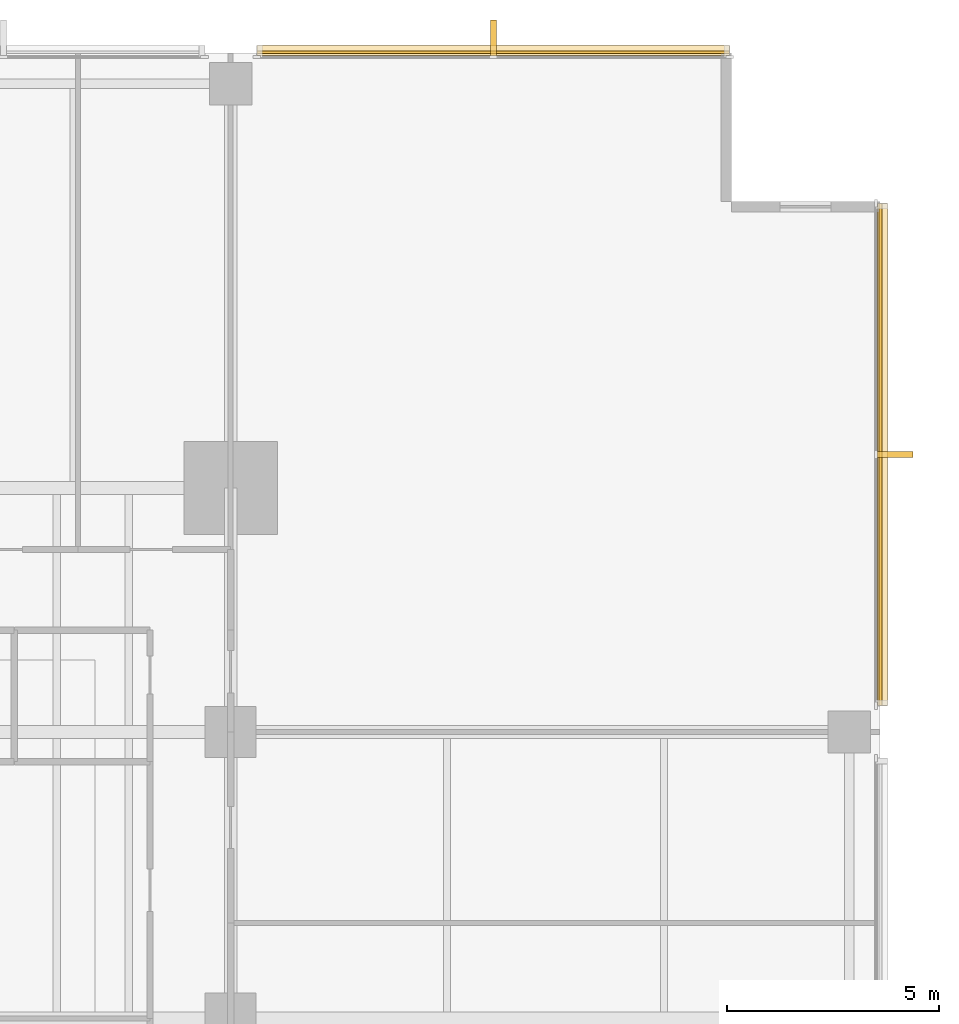
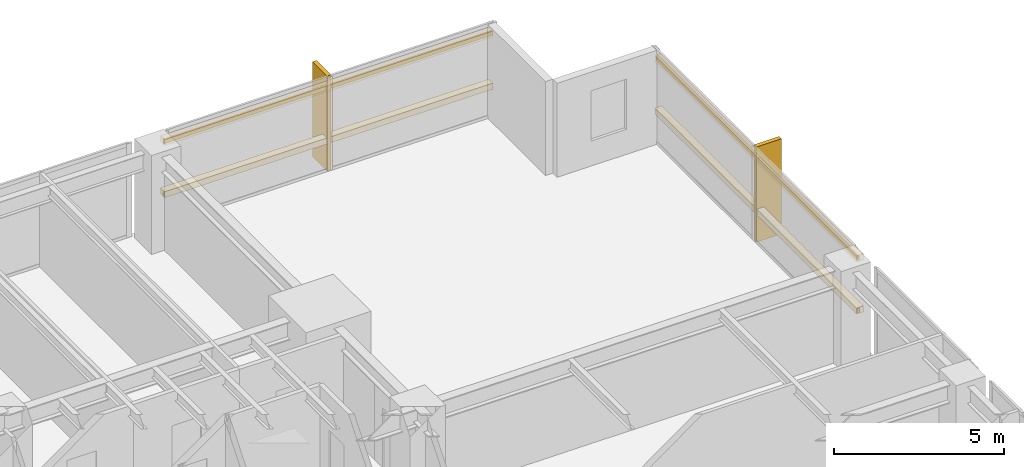
# One storey, part 15 of 15: 6 coverings, 4 shading devices.
"""IFC4 building model written with IfcOpenShell, lengths in metres."""

from ifc_helpers import new_model, si_unit, direction, frame, origin, origin_2d, place, context, subcontext, project, spatial, polyline, rectangle, outline, extrude, material, layer, layer_set, material_profile, profile_set, type_object, element, save


model = new_model("IFC4")

# Units and contexts
model_context = context("Model", 3, precision=1e-05, world=origin(), true_north=direction((0.0, 1.0)))
body_context = subcontext(model_context, "Body", "Model", "MODEL_VIEW")
ifc_project = project(units=[si_unit("LENGTHUNIT", "METRE"), si_unit("AREAUNIT", "SQUARE_METRE"), si_unit("VOLUMEUNIT", "CUBIC_METRE"), si_unit("PLANEANGLEUNIT", "RADIAN"), si_unit("MASSUNIT", "GRAM", prefix="KILO")], contexts=[model_context])

# Site, building, storey
site_placement = place(None, origin())
site = spatial("IfcSite", under=ifc_project, at=site_placement, CompositionType="ELEMENT")
building_placement = place(site_placement, origin())
building = spatial("IfcBuilding", under=site, at=building_placement, Name="Kinhvarn Gate Tower", CompositionType="ELEMENT")
storey_placement = place(building_placement, frame((0.0, 0.0, 78.85009765625)))
storey = spatial("IfcBuildingStorey", under=building, at=storey_placement, Name="L20", CompositionType="ELEMENT", Elevation=78.85009765625)

# Coverings
ifc_material = material(Name="Fired architectural terracotta", Category="masonry")
ifc_layer_1 = layer(ifc_material, 0.239990234375)
ifc_layer_set_1 = layer_set([ifc_layer_1], Name="Fired architectural terracotta")
covering_type_1 = type_object("IfcCoveringType", Name="COV-BAG-220", PredefinedType="CLADDING", material=ifc_layer_set_1)
for number, where, name in (
    (1, (0.0, 0.0, 0.93994140625), "Terracotta Horizontal Sunscreen Band TBG-220 (L20)"),
    (2, (0.0, 0.0, 2.809814453125), "Terracotta Horizontal Sunscreen Band TBG-220 (L20)"),
):
    element("IfcCovering", number, at=place(storey_placement, frame(where)), inside=storey, type_object=covering_type_1, Name=name, PredefinedType="CLADDING", context=body_context, shape_type="SweptSolid", body=[
        extrude(outline(polyline([(49.9599609375, 47.93994140625), (38.820068359375, 47.93994140625), (38.820068359375, 48.179931640625), (49.9599609375, 48.179931640625), (49.9599609375, 47.93994140625)])), origin(), (0.0, 0.0, 1.0), 0.219970703125),
    ])
for number, where, name in (
    (3, (0.0, 0.0, 0.93994140625), "Terracotta Horizontal Sunscreen Band TBG-220 (L20)"),
    (4, (0.0, 0.0, 2.809814453125), "Terracotta Horizontal Sunscreen Band TBG-220 (L20)"),
):
    element("IfcCovering", number, at=place(storey_placement, frame(where)), inside=storey, type_object=covering_type_1, Name=name, PredefinedType="CLADDING", context=body_context, shape_type="SweptSolid", body=[
        extrude(outline(polyline([(53.43994140625, 32.6201171875), (53.43994140625, 44.4599609375), (53.679931640625, 44.4599609375), (53.679931640625, 32.6201171875), (53.43994140625, 32.6201171875)])), origin(), (0.0, 0.0, 1.0), 0.219970703125),
    ])
ifc_layer_2 = layer(ifc_material, 0.139892578125)
ifc_layer_set_2 = layer_set([ifc_layer_2], Name="Fired architectural terracotta")
covering_type_2 = type_object("IfcCoveringType", Name="COV-FIN-850", PredefinedType="CLADDING", material=ifc_layer_set_2)
covering_1_placement = place(storey_placement, frame((0.0, 0.0, -0.02001953125)))
element("IfcCovering", 5, at=covering_1_placement, inside=storey, type_object=covering_type_2, Name="Vertical Terracotta Expressive Fin TFN-850 (L20)", PredefinedType="CLADDING", context=body_context, shape_type="SweptSolid", body=[
    extrude(outline(polyline([(44.4599609375, 47.929931640625), (44.320068359375, 47.929931640625), (44.320068359375, 48.780029296875), (44.4599609375, 48.780029296875), (44.4599609375, 47.929931640625)])), origin(), (0.0, 0.0, 1.0), 3.409912109375),
])
covering_2_placement = place(storey_placement, frame((0.0, 0.0, -0.02001953125)))
element("IfcCovering", 6, at=covering_2_placement, inside=storey, type_object=covering_type_2, Name="Vertical Terracotta Expressive Fin TFN-850 (L20)", PredefinedType="CLADDING", context=body_context, shape_type="SweptSolid", body=[
    extrude(outline(polyline([(53.429931640625, 38.469970703125), (53.429931640625, 38.610107421875), (54.280029296875, 38.610107421875), (54.280029296875, 38.469970703125), (53.429931640625, 38.469970703125)])), origin(), (0.0, 0.0, 1.0), 3.409912109375),
])

# Shading devices
ifc_material_profile = material_profile(ifc_material, rectangle(XDim=0.06005859375, YDim=0.139892578125, at=origin_2d()), Name="TC 60x140")
ifc_profile_set = profile_set([ifc_material_profile], Name="Fired architectural terracotta")
shading_device_type = type_object("IfcShadingDeviceType", Name="SHD-BAG-180", PredefinedType="USERDEFINED", material=ifc_profile_set)
for number, where, z_axis, x_axis, name in (
    (7, (49.9599609375, 48.014892578125, 1.0498046875), (-1.0, 0.0, 0.0), (0.0, -1.0, 0.0), "Fired Terracotta Baguette Screen Rod 60x140 mm (L20)"),
    (8, (49.9599609375, 48.014892578125, 2.919921875), (-1.0, 0.0, 0.0), (0.0, -1.0, 0.0), "Fired Terracotta Baguette Screen Rod 60x140 mm (L20)"),
):
    element("IfcShadingDevice", number, at=place(storey_placement, frame(where, z_axis=z_axis, x_axis=x_axis)), inside=storey, type_object=shading_device_type, Name=name, ObjectType="BAGUETTE", PredefinedType="USERDEFINED", context=body_context, shape_type="SweptSolid", body=[
        extrude(rectangle(XDim=0.06005859375, YDim=0.139892578125, at=origin_2d()), origin(), (0.0, 0.0, 1.0), 11.139892578125),
    ])
for number, where, z_axis, x_axis, name in (
    (9, (53.514892578125, 32.6201171875, 1.0498046875), (0.0, 1.0, 0.0), (-1.0, 0.0, 0.0), "Fired Terracotta Baguette Screen Rod 60x140 mm (L20)"),
    (10, (53.514892578125, 32.6201171875, 2.919921875), (0.0, 1.0, 0.0), (-1.0, 0.0, 0.0), "Fired Terracotta Baguette Screen Rod 60x140 mm (L20)"),
):
    element("IfcShadingDevice", number, at=place(storey_placement, frame(where, z_axis=z_axis, x_axis=x_axis)), inside=storey, type_object=shading_device_type, Name=name, ObjectType="BAGUETTE", PredefinedType="USERDEFINED", context=body_context, shape_type="SweptSolid", body=[
        extrude(rectangle(XDim=0.06005859375, YDim=0.139892578125, at=origin_2d()), origin(), (0.0, 0.0, 1.0), 11.83984375),
    ])

save(model, "model.ifc")
